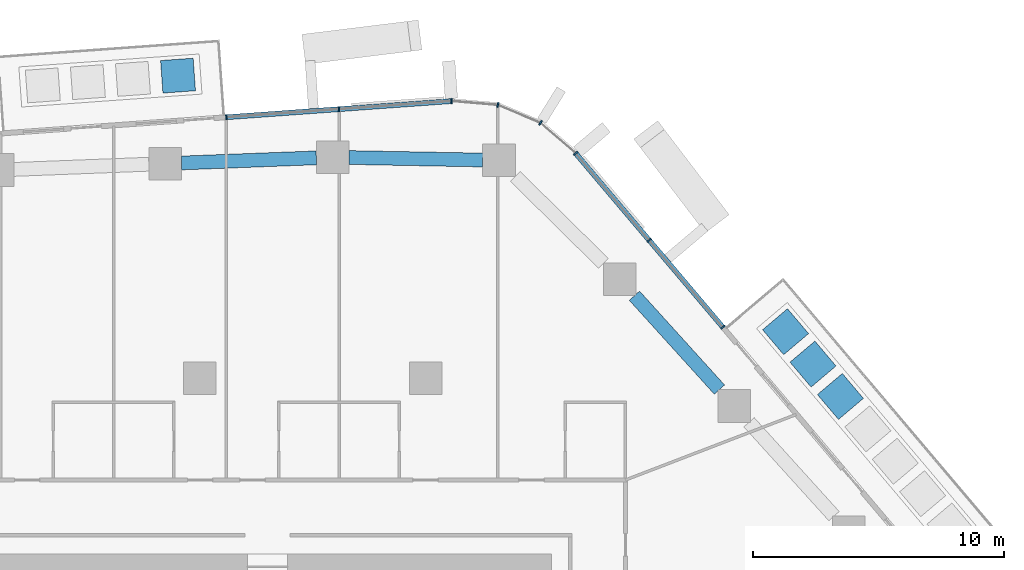
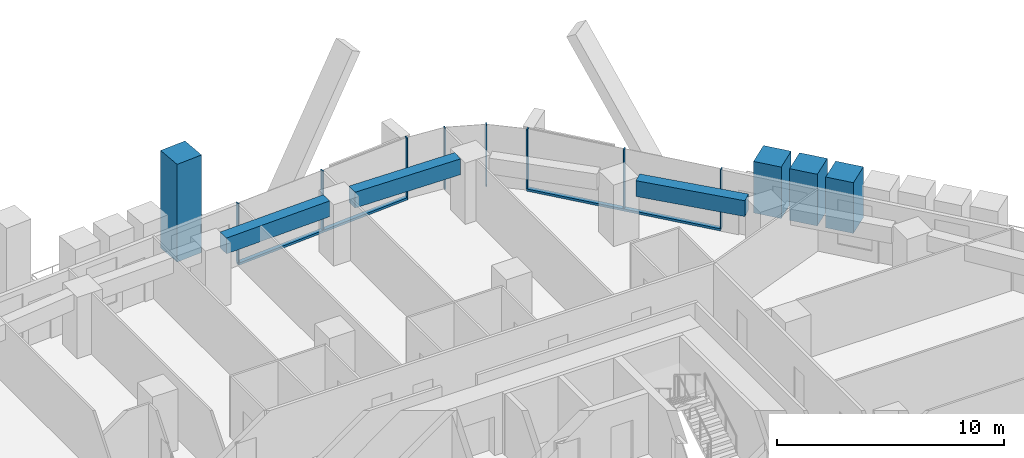
# One storey, part 9 of 24: 14 members, 3 beams, 3 elements without a shape of their own.
"""IFC4 building model written with IfcOpenShell, lengths in metres."""

from ifc_helpers import new_model, si_unit, direction, frame, origin, origin_2d, place, context, subcontext, project, spatial, rectangle, extrude, material, layer, layer_set, material_profile, profile_set, type_object, element, aggregate, save


model = new_model("IFC4")

# Units and contexts
model_context = context("Model", 3, precision=1e-05, world=origin(), true_north=direction((0.0, 1.0)))
body_context = subcontext(model_context, "Body", "Model", "MODEL_VIEW")
ifc_project = project(units=[si_unit("LENGTHUNIT", "METRE"), si_unit("AREAUNIT", "SQUARE_METRE"), si_unit("VOLUMEUNIT", "CUBIC_METRE"), si_unit("PLANEANGLEUNIT", "RADIAN"), si_unit("MASSUNIT", "GRAM", prefix="KILO")], contexts=[model_context])

# Site, building, storey
site_placement = place(None, origin())
site = spatial("IfcSite", under=ifc_project, at=site_placement, CompositionType="ELEMENT")
building_placement = place(site_placement, origin())
building = spatial("IfcBuilding", under=site, at=building_placement, Name="Dongbaek Canopy Tower", CompositionType="ELEMENT")
storey_placement = place(building_placement, frame((0.0, 0.0, 113.699951171875)))
storey = spatial("IfcBuildingStorey", under=building, at=storey_placement, Name="L24", CompositionType="ELEMENT", Elevation=113.699951171875)

# Curtain wall, members
ifc_material_1 = material(Name="Aluminium 6063-T6 pale anodised", Category="aluminium")
ifc_layer = layer(ifc_material_1, 0.199951171875)
ifc_layer_set = layer_set([ifc_layer], Name="CW-1 unitised tower curtain wall")
curtain_wall_type = type_object("IfcCurtainWallType", Name="CW-1 unitised tower curtain wall", PredefinedType="NOTDEFINED", material=ifc_layer_set)
curtain_wall_1_placement = place(storey_placement, origin())
curtain_wall_1 = element("IfcCurtainWall", 1, at=curtain_wall_1_placement, inside=storey, type_object=curtain_wall_type, Name="CW-1 curtain wall F0.1", PredefinedType="NOTDEFINED")
ifc_material_2 = material(Name="Aluminium 6063-T6 pale anodised", Category="aluminium")
ifc_material_profile_1 = material_profile(ifc_material_2, rectangle(XDim=0.199951171875, YDim=0.06005859375, at=origin_2d()), Name="CW-1 mullion 60 x 200")
ifc_profile_set_1 = profile_set([ifc_material_profile_1], Name="Aluminium 6063-T6 pale anodised")
member_type_1 = type_object("IfcMemberType", Name="CW-1 mullion 60 x 200", PredefinedType="MULLION", material=ifc_profile_set_1)
member_1_placement = place(storey_placement, frame((20.830078125, 20.028076171875, 0.1201171875), z_axis=(0.0, 0.0, 1.0), x_axis=(0.763289924972, 0.646056104712, 0.0)))
member_1 = element("IfcMember", 2, at=member_1_placement, type_object=member_type_1, Name="CW-1 mullion F0.1.1", PredefinedType="MULLION", context=body_context, shape_type="SweptSolid", body=[
    extrude(rectangle(XDim=0.199951171875, YDim=0.06005859375, at=origin_2d()), origin(), (0.0, 0.0, 1.0), 3.179931640625),
])
member_2_placement = place(storey_placement, frame((17.89599609375, 23.49462890625, 0.1201171875), z_axis=(0.0, 0.0, 1.0), x_axis=(0.763289924972, 0.646056104712, 0.0)))
member_2 = element("IfcMember", 3, at=member_2_placement, type_object=member_type_1, Name="CW-1 mullion F0.1.2", PredefinedType="MULLION", context=body_context, shape_type="SweptSolid", body=[
    extrude(rectangle(XDim=0.199951171875, YDim=0.06005859375, at=origin_2d()), origin(), (0.0, 0.0, 1.0), 3.179931640625),
])
member_3_placement = place(storey_placement, frame((14.966796875, 26.955078125, 0.1201171875), z_axis=(0.0, 0.0, 1.0), x_axis=(0.763289924972, 0.646056104712, 0.0)))
member_3 = element("IfcMember", 4, at=member_3_placement, type_object=member_type_1, Name="CW-1 mullion F0.1.3", PredefinedType="MULLION", context=body_context, shape_type="SweptSolid", body=[
    extrude(rectangle(XDim=0.199951171875, YDim=0.06005859375, at=origin_2d()), origin(), (0.0, 0.0, 1.0), 3.179931640625),
])

curtain_wall_2_placement = place(storey_placement, origin())
curtain_wall_2 = element("IfcCurtainWall", 5, at=curtain_wall_2_placement, inside=storey, type_object=curtain_wall_type, Name="CW-1 curtain wall K1.1", PredefinedType="NOTDEFINED")
member_4_placement = place(storey_placement, frame((13.566650390625, 28.162841796875, 0.0), z_axis=(0.0, 0.0, 1.0), x_axis=(0.526936494686, 0.849904659693, 0.0)))
member_4 = element("IfcMember", 6, at=member_4_placement, type_object=member_type_1, Name="CW-1 mullion K1.1.2", PredefinedType="MULLION", context=body_context, shape_type="SweptSolid", body=[
    extrude(rectangle(XDim=0.199951171875, YDim=0.06005859375, at=origin_2d()), origin(), (0.0, 0.0, 1.0), 3.300048828125),
])
member_5_placement = place(storey_placement, frame((11.86962890625, 28.876953125, 0.0), z_axis=(0.0, 0.0, 1.0), x_axis=(0.239250398447, 0.970957901684, 0.0)))
member_5 = element("IfcMember", 7, at=member_5_placement, type_object=member_type_1, Name="CW-1 mullion K1.1.3", PredefinedType="MULLION", context=body_context, shape_type="SweptSolid", body=[
    extrude(rectangle(XDim=0.199951171875, YDim=0.06005859375, at=origin_2d()), origin(), (0.0, 0.0, 1.0), 3.300048828125),
])
member_6_placement = place(storey_placement, frame((10.02734375, 29.03369140625, 0.0), z_axis=(0.0, 0.0, 1.0), x_axis=(0.084792698641, 0.996398614139, 0.0)))
member_6 = element("IfcMember", 8, at=member_6_placement, type_object=member_type_1, Name="CW-1 mullion K1.1.4", PredefinedType="MULLION", context=body_context, shape_type="SweptSolid", body=[
    extrude(rectangle(XDim=0.199951171875, YDim=0.06005859375, at=origin_2d()), origin(), (0.0, 0.0, 1.0), 3.300048828125),
])
aggregate(curtain_wall_2, [member_4, member_5, member_6])

curtain_wall_3_placement = place(storey_placement, origin())
curtain_wall_3 = element("IfcCurtainWall", 9, at=curtain_wall_3_placement, inside=storey, type_object=curtain_wall_type, Name="CW-1 curtain wall F1.1", PredefinedType="NOTDEFINED")
member_7_placement = place(storey_placement, frame((5.549072265625, 28.71142578125, 0.1201171875), z_axis=(0.0, 0.0, 1.0), x_axis=(-0.071742796309, 0.997423165551, 0.0)))
member_7 = element("IfcMember", 10, at=member_7_placement, type_object=member_type_1, Name="CW-1 mullion F1.1.2", PredefinedType="MULLION", context=body_context, shape_type="SweptSolid", body=[
    extrude(rectangle(XDim=0.199951171875, YDim=0.06005859375, at=origin_2d()), origin(), (0.0, 0.0, 1.0), 3.179931640625),
])
member_8_placement = place(storey_placement, frame((1.06298828125, 28.388916015625, 0.1201171875), z_axis=(0.0, 0.0, 1.0), x_axis=(-0.071742796309, 0.997423165551, 0.0)))
member_8 = element("IfcMember", 11, at=member_8_placement, type_object=member_type_1, Name="CW-1 mullion F1.1.3", PredefinedType="MULLION", context=body_context, shape_type="SweptSolid", body=[
    extrude(rectangle(XDim=0.199951171875, YDim=0.06005859375, at=origin_2d()), origin(), (0.0, 0.0, 1.0), 3.179931640625),
])

# Member
ifc_material_3 = material(Name="Aluminium 6063-T6 pale anodised", Category="aluminium")
ifc_material_profile_2 = material_profile(ifc_material_3, rectangle(XDim=0.199951171875, YDim=0.1201171875, at=origin_2d()), Name="CW-1 transom 120 x 200")
ifc_profile_set_2 = profile_set([ifc_material_profile_2], Name="Aluminium 6063-T6 pale anodised")
member_type_2 = type_object("IfcMemberType", Name="CW-1 transom 120 x 200", PredefinedType="USERDEFINED", material=ifc_profile_set_2)
member_9_placement = place(storey_placement, frame((20.830078125, 20.028076171875, 0.06005859375), z_axis=(-0.646068855634, 0.763279132283, 0.0), x_axis=(-0.763279132283, -0.646068855634, 0.0)))
member_9 = element("IfcMember", 12, at=member_9_placement, type_object=member_type_2, Name="CW-1 transom F0.1.1", ObjectType="TRANSOM", PredefinedType="USERDEFINED", context=body_context, shape_type="SweptSolid", body=[
    extrude(rectangle(XDim=0.199951171875, YDim=0.1201171875, at=origin_2d()), origin(), (0.0, 0.0, 1.0), 9.075439453125),
])

aggregate(curtain_wall_1, [member_1, member_2, member_3, member_9])

member_10_placement = place(storey_placement, frame((10.02734375, 29.03369140625, 0.06005859375), z_axis=(-0.997423277442, -0.071741240692, 0.0), x_axis=(0.071741240692, -0.997423277442, 0.0)))
member_10 = element("IfcMember", 13, at=member_10_placement, type_object=member_type_2, Name="CW-1 transom F1.1.1", ObjectType="TRANSOM", PredefinedType="USERDEFINED", context=body_context, shape_type="SweptSolid", body=[
    extrude(rectangle(XDim=0.199951171875, YDim=0.1201171875, at=origin_2d()), origin(), (0.0, 0.0, 1.0), 8.987548828125),
])

aggregate(curtain_wall_3, [member_7, member_8, member_10])

# Beams
ifc_material_4 = material(Name="Concrete C80", Category="concrete")
ifc_material_profile_3 = material_profile(ifc_material_4, rectangle(XDim=0.550048828125, YDim=0.85009765625, at=origin_2d()), Name="RC EDGE BEAM 550x850 C80")
ifc_profile_set_3 = profile_set([ifc_material_profile_3], Name="Concrete C80")
beam_type = type_object("IfcBeamType", Name="RC EDGE BEAM 550x850 C80", PredefinedType="BEAM", material=ifc_profile_set_3)
beam_1_placement = place(storey_placement, frame((-0.721923828125, 26.56884765625, 2.875), z_axis=(0.999275939063, 0.03804730751, 0.0), x_axis=(-0.03804730751, 0.999275939063, 0.0)))
element("IfcBeam", 14, at=beam_1_placement, inside=storey, type_object=beam_type, Name="EDGEBEAM:L24:15", PredefinedType="BEAM", context=body_context, shape_type="SweptSolid", body=[
    extrude(rectangle(XDim=0.550048828125, YDim=0.85009765625, at=origin_2d()), origin(), (0.0, 0.0, 1.0), 5.370849609375),
])
beam_2_placement = place(storey_placement, frame((5.945068359375, 26.785888671875, 2.875), z_axis=(0.999824893163, -0.018713177504, 0.0), x_axis=(0.018713177504, 0.999824893163, 0.0)))
element("IfcBeam", 15, at=beam_2_placement, inside=storey, type_object=beam_type, Name="EDGEBEAM:L24:16", PredefinedType="BEAM", context=body_context, shape_type="SweptSolid", body=[
    extrude(rectangle(XDim=0.550048828125, YDim=0.85009765625, at=origin_2d()), origin(), (0.0, 0.0, 1.0), 5.322998046875),
])
beam_3_placement = place(storey_placement, frame((17.306640625, 21.284912109375, 2.875), z_axis=(0.671331632341, -0.741157094966, 0.0), x_axis=(0.741157094966, 0.671331632341, 0.0)))
element("IfcBeam", 16, at=beam_3_placement, inside=storey, type_object=beam_type, Name="EDGEBEAM:L24:18", PredefinedType="BEAM", context=body_context, shape_type="SweptSolid", body=[
    extrude(rectangle(XDim=0.550048828125, YDim=0.85009765625, at=origin_2d()), origin(), (0.0, 0.0, 1.0), 5.041748046875),
])

# Members
ifc_material_5 = material(Name="Concrete C40/50 planter mass with planting", Category="concrete")
ifc_material_profile_4 = material_profile(ifc_material_5, rectangle(XDim=1.300048828125, YDim=1.300048828125, at=origin_2d()), Name="Terrace PLANTER shrub mass 1300 x 1300")
ifc_profile_set_4 = profile_set([ifc_material_profile_4], Name="Concrete C40/50 planter mass with planting")
member_type_3 = type_object("IfcMemberType", Name="Terrace PLANTER shrub mass 1300 x 1300", PredefinedType="USERDEFINED", material=ifc_profile_set_4)
member_11_placement = place(storey_placement, frame((25.506103515625, 17.274169921875, 0.420166015625), z_axis=(0.0, 0.0, 1.0), x_axis=(0.763289924972, 0.646056104712, 0.0)))
element("IfcMember", 17, at=member_11_placement, inside=storey, type_object=member_type_3, Name="Planter shrubs L24 1.5", ObjectType="PLANTER", PredefinedType="USERDEFINED", context=body_context, shape_type="SweptSolid", body=[
    extrude(rectangle(XDim=1.300048828125, YDim=1.300048828125, at=origin_2d()), origin(), (0.0, 0.0, 1.0), 2.72998046875),
])
member_12_placement = place(storey_placement, frame((24.414794921875, 18.5634765625, 0.420166015625), z_axis=(0.0, 0.0, 1.0), x_axis=(0.763289924972, 0.646056104712, 0.0)))
element("IfcMember", 18, at=member_12_placement, inside=storey, type_object=member_type_3, Name="Planter shrubs L24 1.6", ObjectType="PLANTER", PredefinedType="USERDEFINED", context=body_context, shape_type="SweptSolid", body=[
    extrude(rectangle(XDim=1.300048828125, YDim=1.300048828125, at=origin_2d()), origin(), (0.0, 0.0, 1.0), 2.77978515625),
])
member_13_placement = place(storey_placement, frame((23.323486328125, 19.85302734375, 0.420166015625), z_axis=(0.0, 0.0, 1.0), x_axis=(0.763289924972, 0.646056104712, 0.0)))
element("IfcMember", 19, at=member_13_placement, inside=storey, type_object=member_type_3, Name="Planter shrubs L24 1.7", ObjectType="PLANTER", PredefinedType="USERDEFINED", context=body_context, shape_type="SweptSolid", body=[
    extrude(rectangle(XDim=1.300048828125, YDim=1.300048828125, at=origin_2d()), origin(), (0.0, 0.0, 1.0), 2.769775390625),
])
member_14_placement = place(storey_placement, frame((-0.8603515625, 30.045166015625, 0.420166015625), z_axis=(0.0, 0.0, 1.0), x_axis=(-0.071742796309, 0.997423165551, 0.0)))
element("IfcMember", 20, at=member_14_placement, inside=storey, type_object=member_type_3, Name="Planter tree L24 2.1", ObjectType="PLANTER", PredefinedType="USERDEFINED", context=body_context, shape_type="SweptSolid", body=[
    extrude(rectangle(XDim=1.300048828125, YDim=1.300048828125, at=origin_2d()), origin(), (0.0, 0.0, 1.0), 5.25),
])

save(model, "model.ifc")
